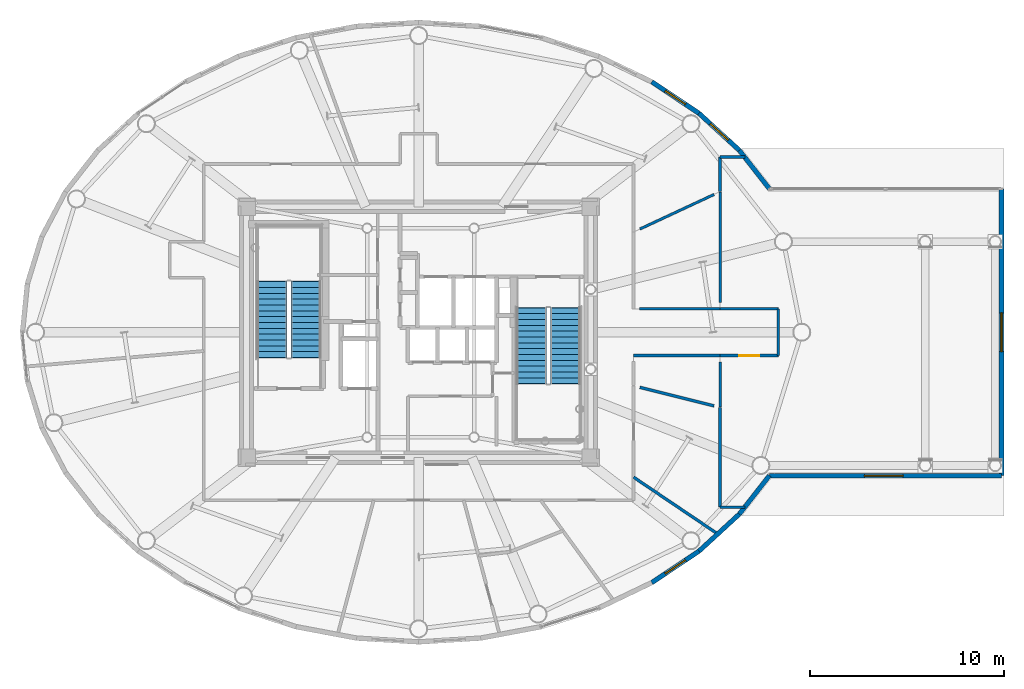
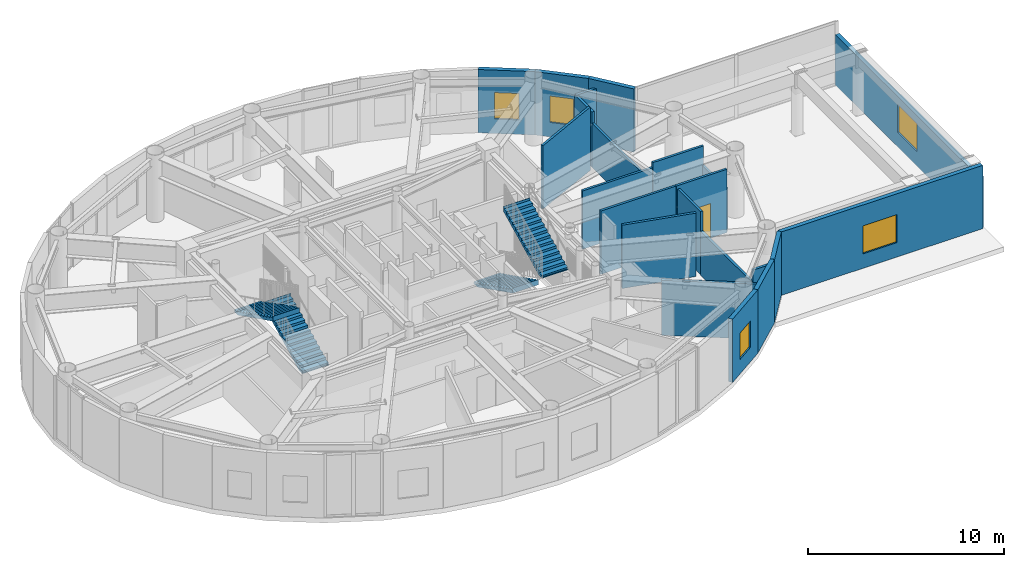
# One storey, part 19 of 26: 22 walls, 5 windows, 4 stair flights, 1 door, 6 openings, 2 elements without a shape of their own.
"""IFC4 building model written with IfcOpenShell, lengths in metres."""

from ifc_helpers import new_model, si_unit, direction, frame, frame_2d, origin, origin_2d, place, context, subcontext, project, spatial, polyline, rectangle, outline, extrude, source, transform, mapped, material, layer, layer_set, type_object, element, fill, aggregate, save


model = new_model("IFC4")

# Units and contexts
model_context = context("Model", 3, precision=1e-05, world=origin(), true_north=direction((0.0, 1.0)))
body_context = subcontext(model_context, "Body", "Model", "MODEL_VIEW")
ifc_project = project(units=[si_unit("LENGTHUNIT", "METRE"), si_unit("AREAUNIT", "SQUARE_METRE"), si_unit("VOLUMEUNIT", "CUBIC_METRE"), si_unit("PLANEANGLEUNIT", "RADIAN"), si_unit("MASSUNIT", "GRAM", prefix="KILO")], contexts=[model_context])

# Site, building, storey
site_placement = place(None, origin())
site = spatial("IfcSite", under=ifc_project, at=site_placement, CompositionType="ELEMENT")
building_placement = place(site_placement, origin())
building = spatial("IfcBuilding", under=site, at=building_placement, Name="Linh Dai School and Residence Tower", CompositionType="ELEMENT")
storey_placement = place(building_placement, frame((0.0, 0.0, 351.0)))
storey = spatial("IfcBuildingStorey", under=building, at=storey_placement, Name="L87", CompositionType="ELEMENT", Elevation=351.0)

# Wall, opening, window
ifc_material_1 = material(Name="Precast Concrete B45 (C35/45)", Category="concrete")
ifc_layer_1 = layer(ifc_material_1, 0.239990234375)
ifc_layer_set_1 = layer_set([ifc_layer_1], Name="Precast Concrete B45 (C35/45)")
wall_type_1 = type_object("IfcWallType", Name="EW-TC-240", PredefinedType="SOLIDWALL", material=ifc_layer_set_1)
wall_1_placement = place(storey_placement, frame((65.97509765625, 19.625, 0.0), z_axis=(0.0, 0.0, 1.0), x_axis=(-1.0, 0.0, 0.0)))
wall_1 = element("IfcWall", 1, at=wall_1_placement, inside=storey, type_object=wall_type_1, Name="L87 Terracotta Exterior Wall 01", PredefinedType="SOLIDWALL", context=body_context, shape_type="SweptSolid", body=[
    extrude(rectangle(XDim=11.93505859375, YDim=0.239990234375, at=frame_2d((5.967529296875, 0.0))), origin(), (0.0, 0.0, 1.0), 3.949951171875),
])
opening_1_placement = place(wall_1_placement, frame((5.06005859375, 0.0, 0.89990234375)))
opening_1 = element("IfcOpeningElement", 2, at=opening_1_placement, cuts=wall_1, Name="Opening W1", PredefinedType="OPENING", context=body_context, shape_type="SweptSolid", body=[
    extrude(rectangle(XDim=2.0, YDim=1.75, at=origin_2d()), frame((1.0, 0.1298828125, 0.875), z_axis=(0.0, -1.0, 0.0), x_axis=(1.0, 0.0, 0.0)), (0.0, 0.0, 1.0), 0.260009765625),
])
ifc_material_2 = material(Name="Double Low-E Insulated Glazing", Category="glass")
window_type_1 = type_object("IfcWindowType", Name="WN-RES-2000x1750", PartitioningType="DOUBLE_PANEL_VERTICAL", PredefinedType="WINDOW", material=ifc_material_2)
shared_shape_1 = source(origin(), body_context, "Body", "SweptSolid", [
    extrude(rectangle(XDim=2.0, YDim=1.75, at=origin_2d()), frame((1.0, 0.030029296875, 0.875), z_axis=(0.0, -1.0, 0.0), x_axis=(1.0, 0.0, 0.0)), (0.0, 0.0, 1.0), 0.06005859375),
])
window_1_placement = place(opening_1_placement, origin())
window_1 = element("IfcWindow", 3, at=window_1_placement, inside=storey, type_object=window_type_1, Name="L87 Exterior Window 01.1", OverallHeight=1.75, OverallWidth=2.0, PartitioningType="DOUBLE_PANEL_VERTICAL", PredefinedType="WINDOW", context=body_context, shape_type="MappedRepresentation", body=[
    mapped(shared_shape_1, transform((0.0, 0.0, 0.0), x_axis=(1.0, 0.0, 0.0), y_axis=(0.0, 1.0, 0.0), z_axis=(0.0, 0.0, 1.0), scale=1.0)),
])
fill(opening_1, window_1)

wall_2_placement = place(storey_placement, frame((65.97509765625, 34.375, 0.0), z_axis=(0.0, 0.0, 1.0), x_axis=(0.0, -1.0, 0.0)))
wall_2 = element("IfcWall", 4, at=wall_2_placement, inside=storey, type_object=wall_type_1, Name="L87 Terracotta Exterior Wall 02", PredefinedType="SOLIDWALL", context=body_context, shape_type="SweptSolid", body=[
    extrude(rectangle(XDim=14.75, YDim=0.239990234375, at=frame_2d((7.375, 0.0))), origin(), (0.0, 0.0, 1.0), 3.135009765625),
])
opening_2_placement = place(wall_2_placement, frame((6.375, 0.0, 0.89990234375)))
opening_2 = element("IfcOpeningElement", 5, at=opening_2_placement, cuts=wall_2, Name="Opening W1", PredefinedType="OPENING", context=body_context, shape_type="SweptSolid", body=[
    extrude(rectangle(XDim=2.0, YDim=1.75, at=origin_2d()), frame((1.0, 0.1298828125, 0.875), z_axis=(0.0, -1.0, 0.0), x_axis=(1.0, 0.0, 0.0)), (0.0, 0.0, 1.0), 0.260009765625),
])
window_2_placement = place(opening_2_placement, origin())
window_2 = element("IfcWindow", 6, at=window_2_placement, inside=storey, type_object=window_type_1, Name="L87 Exterior Window 02.1", OverallHeight=1.75, OverallWidth=2.0, PartitioningType="DOUBLE_PANEL_VERTICAL", PredefinedType="WINDOW", context=body_context, shape_type="MappedRepresentation", body=[
    mapped(shared_shape_1, transform((0.0, 0.0, 0.0), x_axis=(1.0, 0.0, 0.0), y_axis=(0.0, 1.0, 0.0), z_axis=(0.0, 0.0, 1.0), scale=1.0)),
])
fill(opening_2, window_2)

# Wall
wall_3_placement = place(storey_placement, frame((52.4931640625, 36.351806640625, 0.0), z_axis=(0.0, 0.0, 1.0), x_axis=(0.616261054153, -0.78754194373, 0.0)))
element("IfcWall", 7, at=wall_3_placement, inside=storey, type_object=wall_type_1, Name="L87 Terracotta Exterior Wall 04", PredefinedType="SOLIDWALL", context=body_context, shape_type="SweptSolid", body=[
    extrude(rectangle(XDim=2.510009765625, YDim=0.239990234375, at=frame_2d((1.2548828125, 0.0))), origin(), (0.0, 0.0, 1.0), 3.949951171875),
])

# Wall, opening, window
wall_4_placement = place(storey_placement, frame((50.418701171875, 38.254150390625, 0.0), z_axis=(0.0, 0.0, 1.0), x_axis=(0.737020907932, -0.675869944051, 0.0)))
wall_4 = element("IfcWall", 8, at=wall_4_placement, inside=storey, type_object=wall_type_1, Name="L87 Terracotta Exterior Wall 05", PredefinedType="SOLIDWALL", context=body_context, shape_type="SweptSolid", body=[
    extrude(rectangle(XDim=2.814697265625, YDim=0.239990234375, at=frame_2d((1.4072265625, 0.0))), origin(), (0.0, 0.0, 1.0), 3.949951171875),
])
opening_3_placement = place(wall_4_placement, frame((0.781982421875, 0.0, 0.89990234375)))
opening_3 = element("IfcOpeningElement", 9, at=opening_3_placement, cuts=wall_4, Name="Opening W3", PredefinedType="OPENING", context=body_context, shape_type="SweptSolid", body=[
    extrude(rectangle(XDim=1.25, YDim=1.64990234375, at=origin_2d()), frame((0.625, 0.1298828125, 0.824951171875), z_axis=(0.0, -1.0, 0.0), x_axis=(1.0, 0.0, 0.0)), (0.0, 0.0, 1.0), 0.260009765625),
])
window_type_2 = type_object("IfcWindowType", Name="WN-RES-1250x1650", PartitioningType="SINGLE_PANEL", PredefinedType="WINDOW", material=ifc_material_2)
shared_shape_2 = source(origin(), body_context, "Body", "SweptSolid", [
    extrude(rectangle(XDim=1.25, YDim=1.64990234375, at=origin_2d()), frame((0.625, 0.030029296875, 0.824951171875), z_axis=(0.0, -1.0, 0.0), x_axis=(1.0, 0.0, 0.0)), (0.0, 0.0, 1.0), 0.06005859375),
])
window_3_placement = place(opening_3_placement, origin())
window_3 = element("IfcWindow", 10, at=window_3_placement, inside=storey, type_object=window_type_2, Name="L87 Exterior Window 05.1", OverallHeight=1.64990234375, OverallWidth=1.25, PartitioningType="SINGLE_PANEL", PredefinedType="WINDOW", context=body_context, shape_type="MappedRepresentation", body=[
    mapped(shared_shape_2, transform((0.0, 0.0, 0.0), x_axis=(1.0, 0.0, 0.0), y_axis=(0.0, 1.0, 0.0), z_axis=(0.0, 0.0, 1.0), scale=1.0)),
])
fill(opening_3, window_3)

wall_5_placement = place(storey_placement, frame((47.98779296875, 39.880126953125, 0.0), z_axis=(0.0, 0.0, 1.0), x_axis=(0.831201688654, -0.555970999944, 0.0)))
wall_5 = element("IfcWall", 11, at=wall_5_placement, inside=storey, type_object=wall_type_1, Name="L87 Terracotta Exterior Wall 06", PredefinedType="SOLIDWALL", context=body_context, shape_type="SweptSolid", body=[
    extrude(rectangle(XDim=2.924560546875, YDim=0.239990234375, at=frame_2d((1.46240234375, 0.0))), origin(), (0.0, 0.0, 1.0), 3.949951171875),
])
opening_4_placement = place(wall_5_placement, frame((0.837158203125, 0.0, 0.89990234375)))
opening_4 = element("IfcOpeningElement", 12, at=opening_4_placement, cuts=wall_5, Name="Opening W3", PredefinedType="OPENING", context=body_context, shape_type="SweptSolid", body=[
    extrude(rectangle(XDim=1.25, YDim=1.64990234375, at=origin_2d()), frame((0.625, 0.1298828125, 0.824951171875), z_axis=(0.0, -1.0, 0.0), x_axis=(1.0, 0.0, 0.0)), (0.0, 0.0, 1.0), 0.260009765625),
])
window_4_placement = place(opening_4_placement, origin())
window_4 = element("IfcWindow", 13, at=window_4_placement, inside=storey, type_object=window_type_2, Name="L87 Exterior Window 06.1", OverallHeight=1.64990234375, OverallWidth=1.25, PartitioningType="SINGLE_PANEL", PredefinedType="WINDOW", context=body_context, shape_type="MappedRepresentation", body=[
    mapped(shared_shape_2, transform((0.0, 0.0, 0.0), x_axis=(1.0, 0.0, 0.0), y_axis=(0.0, 1.0, 0.0), z_axis=(0.0, 0.0, 1.0), scale=1.0)),
])
fill(opening_4, window_4)

wall_6_placement = place(storey_placement, frame((50.418701171875, 15.745849609375, 0.0), z_axis=(0.0, 0.0, 1.0), x_axis=(-0.831201688654, -0.555970999944, 0.0)))
wall_6 = element("IfcWall", 14, at=wall_6_placement, inside=storey, type_object=wall_type_1, Name="L87 Terracotta Exterior Wall 35", PredefinedType="SOLIDWALL", context=body_context, shape_type="SweptSolid", body=[
    extrude(rectangle(XDim=2.924560546875, YDim=0.239990234375, at=frame_2d((1.46240234375, 0.0))), origin(), (0.0, 0.0, 1.0), 3.949951171875),
])
opening_5_placement = place(wall_6_placement, frame((0.83740234375, 0.0, 0.89990234375)))
opening_5 = element("IfcOpeningElement", 15, at=opening_5_placement, cuts=wall_6, Name="Opening W3", PredefinedType="OPENING", context=body_context, shape_type="SweptSolid", body=[
    extrude(rectangle(XDim=1.25, YDim=1.64990234375, at=origin_2d()), frame((0.625, 0.1298828125, 0.824951171875), z_axis=(0.0, -1.0, 0.0), x_axis=(1.0, 0.0, 0.0)), (0.0, 0.0, 1.0), 0.260009765625),
])
window_5_placement = place(opening_5_placement, origin())
window_5 = element("IfcWindow", 16, at=window_5_placement, inside=storey, type_object=window_type_2, Name="L87 Exterior Window 35.1", OverallHeight=1.64990234375, OverallWidth=1.25, PartitioningType="SINGLE_PANEL", PredefinedType="WINDOW", context=body_context, shape_type="MappedRepresentation", body=[
    mapped(shared_shape_2, transform((0.0, 0.0, 0.0), x_axis=(1.0, 0.0, 0.0), y_axis=(0.0, 1.0, 0.0), z_axis=(0.0, 0.0, 1.0), scale=1.0)),
])
fill(opening_5, window_5)

# Walls
wall_7_placement = place(storey_placement, frame((52.4931640625, 17.648193359375, 0.0), z_axis=(0.0, 0.0, 1.0), x_axis=(-0.737020907932, -0.675869944051, 0.0)))
element("IfcWall", 17, at=wall_7_placement, inside=storey, type_object=wall_type_1, Name="L87 Terracotta Exterior Wall 36", PredefinedType="SOLIDWALL", context=body_context, shape_type="SweptSolid", body=[
    extrude(rectangle(XDim=2.814697265625, YDim=0.239990234375, at=frame_2d((1.4072265625, 0.0))), origin(), (0.0, 0.0, 1.0), 3.949951171875),
])
wall_8_placement = place(storey_placement, frame((54.0400390625, 19.625, 0.0), z_axis=(0.0, 0.0, 1.0), x_axis=(-0.616261054153, -0.78754194373, 0.0)))
element("IfcWall", 18, at=wall_8_placement, inside=storey, type_object=wall_type_1, Name="L87 Terracotta Exterior Wall 37", PredefinedType="SOLIDWALL", context=body_context, shape_type="SweptSolid", body=[
    extrude(rectangle(XDim=2.510009765625, YDim=0.239990234375, at=frame_2d((1.2548828125, 0.0))), origin(), (0.0, 0.0, 1.0), 3.949951171875),
])

# Wall, opening, door
ifc_material_3 = material(Name="Autoclaved Aerated Concrete Blockwork", Category="masonry")
ifc_layer_2 = layer(ifc_material_3, 0.135009765625)
ifc_layer_set_2 = layer_set([ifc_layer_2], Name="Autoclaved Aerated Concrete Blockwork")
wall_type_2 = type_object("IfcWallType", Name="IW-CORR-135-EI90", PredefinedType="PARTITIONING", material=ifc_layer_set_2)
wall_9_placement = place(storey_placement, frame((51.5, 25.800048828125, 0.0), z_axis=(0.0, 0.0, 1.0), x_axis=(1.0, 0.0, 0.0)))
wall_9 = element("IfcWall", 19, at=wall_9_placement, inside=storey, type_object=wall_type_2, Name="L87 Interior Partition Wall 054", PredefinedType="PARTITIONING", context=body_context, shape_type="SweptSolid", body=[
    extrude(rectangle(XDim=3.0, YDim=0.135009765625, at=frame_2d((1.5, 0.0))), origin(), (0.0, 0.0, 1.0), 3.949951171875),
])
opening_6_placement = place(wall_9_placement, frame((0.97509765625, 0.0, 0.0)))
opening_6 = element("IfcOpeningElement", 20, at=opening_6_placement, cuts=wall_9, Name="Opening D04", PredefinedType="OPENING", context=body_context, shape_type="SweptSolid", body=[
    extrude(rectangle(XDim=1.050048828125, YDim=2.14990234375, at=origin_2d()), frame((0.52490234375, 0.07763671875, 1.074951171875), z_axis=(0.0, -1.0, 0.0), x_axis=(1.0, 0.0, 0.0)), (0.0, 0.0, 1.0), 0.155029296875),
])
ifc_material_4 = material(Name="Acoustic Vision-Panel Timber Classroom Door", Category="wood")
door_type = type_object("IfcDoorType", Name="DR-SCH-1050x2150-FD60S", OperationType="NOTDEFINED", PredefinedType="DOOR", material=ifc_material_4)
shared_shape_3 = source(origin(), body_context, "Body", "SweptSolid", [
    extrude(rectangle(XDim=1.050048828125, YDim=2.14990234375, at=origin_2d()), frame((0.52490234375, 0.02490234375, 1.074951171875), z_axis=(0.0, -1.0, 0.0), x_axis=(1.0, 0.0, 0.0)), (0.0, 0.0, 1.0), 0.050048828125),
])
door_placement = place(opening_6_placement, origin())
door = element("IfcDoor", 21, at=door_placement, inside=storey, type_object=door_type, Name="L87 Cantilevered Broadcast Mast Sky Observatory Door", OperationType="SINGLE_SWING_LEFT", OverallHeight=2.14990234375, OverallWidth=1.050048828125, PredefinedType="DOOR", context=body_context, shape_type="MappedRepresentation", body=[
    mapped(shared_shape_3, transform((0.0, 0.0, 0.0), x_axis=(1.0, 0.0, 0.0), y_axis=(0.0, 1.0, 0.0), z_axis=(0.0, 0.0, 1.0), scale=1.0)),
])
fill(opening_6, door)

# Walls
wall_10_placement = place(storey_placement, frame((51.5, 28.199951171875, 0.0), z_axis=(0.0, 0.0, 1.0), x_axis=(1.0, 0.0, 0.0)))
element("IfcWall", 22, at=wall_10_placement, inside=storey, type_object=wall_type_2, Name="L87 Interior Partition Wall 055", PredefinedType="PARTITIONING", context=body_context, shape_type="SweptSolid", body=[
    extrude(rectangle(XDim=3.0, YDim=0.135009765625, at=frame_2d((1.5, 0.0))), origin(), (0.0, 0.0, 1.0), 3.949951171875),
])
wall_11_placement = place(storey_placement, frame((54.5, 25.800048828125, 0.0), z_axis=(0.0, 0.0, 1.0), x_axis=(0.0, 1.0, 0.0)))
element("IfcWall", 23, at=wall_11_placement, inside=storey, type_object=wall_type_2, Name="L87 Interior Partition Wall 058", PredefinedType="PARTITIONING", context=body_context, shape_type="SweptSolid", body=[
    extrude(rectangle(XDim=2.39990234375, YDim=0.135009765625, at=frame_2d((1.199951171875, 0.0))), origin(), (0.0, 0.0, 1.0), 2.735107421875),
])
wall_12_placement = place(storey_placement, frame((47.357421875, 28.199951171875, 0.0), z_axis=(0.0, 0.0, 1.0), x_axis=(1.0, 0.0, 0.0)))
element("IfcWall", 24, at=wall_12_placement, inside=storey, type_object=wall_type_2, Name="L87 Interior Partition Wall 062", PredefinedType="PARTITIONING", context=body_context, shape_type="SweptSolid", body=[
    extrude(rectangle(XDim=4.132568359375, YDim=0.135009765625, at=frame_2d((2.06640625, 0.0))), origin(), (0.0, 0.0, 1.0), 3.635009765625),
])
wall_13_placement = place(storey_placement, frame((51.489990234375, 25.800048828125, 0.0), z_axis=(0.0, 0.0, 1.0), x_axis=(-1.0, 0.0, 0.0)))
element("IfcWall", 25, at=wall_13_placement, inside=storey, type_object=wall_type_2, Name="L87 Interior Partition Wall 063", PredefinedType="PARTITIONING", context=body_context, shape_type="SweptSolid", body=[
    extrude(rectangle(XDim=4.43994140625, YDim=0.135009765625, at=frame_2d((2.219970703125, 0.0))), origin(), (0.0, 0.0, 1.0), 3.949951171875),
])
wall_14_placement = place(storey_placement, frame((51.5, 23.1455078125, 0.0), z_axis=(0.0, 0.0, 1.0), x_axis=(0.0, 1.0, 0.0)))
element("IfcWall", 26, at=wall_14_placement, inside=storey, type_object=wall_type_2, Name="L87 Interior Partition Wall 073", PredefinedType="PARTITIONING", context=body_context, shape_type="SweptSolid", body=[
    extrude(rectangle(XDim=2.326904296875, YDim=0.135009765625, at=frame_2d((1.16357421875, 0.0))), origin(), (0.0, 0.0, 1.0), 3.949951171875),
])
wall_15_placement = place(storey_placement, frame((51.5, 28.527587890625, 0.0), z_axis=(0.0, 0.0, 1.0), x_axis=(0.0, 1.0, 0.0)))
element("IfcWall", 27, at=wall_15_placement, inside=storey, type_object=wall_type_2, Name="L87 Interior Partition Wall 074", PredefinedType="PARTITIONING", context=body_context, shape_type="SweptSolid", body=[
    extrude(rectangle(XDim=5.690185546875, YDim=0.135009765625, at=frame_2d((2.84521484375, 0.0))), origin(), (0.0, 0.0, 1.0), 2.735107421875),
])
wall_16_placement = place(storey_placement, frame((51.1923828125, 34.08447265625, 0.0), z_axis=(0.0, 0.0, 1.0), x_axis=(-0.906297200545, -0.422640963802, 0.0)))
element("IfcWall", 28, at=wall_16_placement, inside=storey, type_object=wall_type_2, Name="L87 Interior Partition Wall 075", PredefinedType="PARTITIONING", context=body_context, shape_type="SweptSolid", body=[
    extrude(rectangle(XDim=4.20947265625, YDim=0.135009765625, at=frame_2d((2.104736328125, 0.0))), origin(), (0.0, 0.0, 1.0), 3.949951171875),
])
ifc_layer_3 = layer(ifc_material_3, 0.14990234375)
ifc_layer_set_3 = layer_set([ifc_layer_3], Name="Autoclaved Aerated Concrete Blockwork")
wall_type_3 = type_object("IfcWallType", Name="IW-SCH-150-EI60", PredefinedType="PARTITIONING", material=ifc_layer_set_3)
wall_17_placement = place(storey_placement, frame((47.050048828125, 19.546630859375, 0.0), z_axis=(0.0, 0.0, 1.0), x_axis=(0.829048965617, -0.55917601219, 0.0)))
element("IfcWall", 29, at=wall_17_placement, inside=storey, type_object=wall_type_3, Name="L87 Interior Partition Wall 050", PredefinedType="PARTITIONING", context=body_context, shape_type="SweptSolid", body=[
    extrude(rectangle(XDim=5.22705078125, YDim=0.14990234375, at=frame_2d((2.613525390625, 0.0))), origin(), (0.0, 0.0, 1.0), 3.43505859375),
])
wall_18_placement = place(storey_placement, frame((51.5, 18.0, 0.0), z_axis=(0.0, 0.0, 1.0), x_axis=(0.0, 1.0, 0.0)))
element("IfcWall", 30, at=wall_18_placement, inside=storey, type_object=wall_type_3, Name="L87 Interior Partition Wall 052", PredefinedType="PARTITIONING", context=body_context, shape_type="SweptSolid", body=[
    extrude(rectangle(XDim=5.135498046875, YDim=0.14990234375, at=frame_2d((2.56787109375, 0.0))), origin(), (0.0, 0.0, 1.0), 2.735107421875),
])
wall_19_placement = place(storey_placement, frame((51.5, 18.0, 0.0), z_axis=(0.0, 0.0, 1.0), x_axis=(1.0, 0.0, 0.0)))
element("IfcWall", 31, at=wall_19_placement, inside=storey, type_object=wall_type_3, Name="L87 Interior Partition Wall 053", PredefinedType="PARTITIONING", context=body_context, shape_type="SweptSolid", body=[
    extrude(rectangle(XDim=1.27490234375, YDim=0.14990234375, at=frame_2d((0.637451171875, 0.0))), origin(), (0.0, 0.0, 1.0), 3.43505859375),
])
wall_20_placement = place(storey_placement, frame((51.5, 34.227783203125, 0.0), z_axis=(0.0, 0.0, 1.0), x_axis=(0.0, 1.0, 0.0)))
element("IfcWall", 32, at=wall_20_placement, inside=storey, type_object=wall_type_3, Name="L87 Interior Partition Wall 056", PredefinedType="PARTITIONING", context=body_context, shape_type="SweptSolid", body=[
    extrude(rectangle(XDim=1.772216796875, YDim=0.14990234375, at=frame_2d((0.88623046875, 0.0))), origin(), (0.0, 0.0, 1.0), 3.43505859375),
])
wall_21_placement = place(storey_placement, frame((51.5, 36.0, 0.0), z_axis=(0.0, 0.0, 1.0), x_axis=(1.0, 0.0, 0.0)))
element("IfcWall", 33, at=wall_21_placement, inside=storey, type_object=wall_type_3, Name="L87 Interior Partition Wall 057", PredefinedType="PARTITIONING", context=body_context, shape_type="SweptSolid", body=[
    extrude(rectangle(XDim=1.27490234375, YDim=0.14990234375, at=frame_2d((0.637451171875, 0.0))), origin(), (0.0, 0.0, 1.0), 3.43505859375),
])
wall_22_placement = place(storey_placement, frame((47.37744140625, 24.163330078125, 0.0), z_axis=(0.0, 0.0, 1.0), x_axis=(0.970295717129, -0.241921932288, 0.0)))
element("IfcWall", 34, at=wall_22_placement, inside=storey, type_object=wall_type_3, Name="L87 Interior Partition Wall 076", PredefinedType="PARTITIONING", context=body_context, shape_type="SweptSolid", body=[
    extrude(rectangle(XDim=3.931640625, YDim=0.14990234375, at=frame_2d((1.9658203125, 0.0))), origin(), (0.0, 0.0, 1.0), 3.949951171875),
])

# Stair, stair flights
ifc_material_5 = material(Name="Concrete B45 (C35/45)", Category="concrete")
stair_type = type_object("IfcStairType", Name="ST-DOG-1550-R1500", PredefinedType="HALF_TURN_STAIR", material=ifc_material_5)
stair_1_placement = place(storey_placement, origin())
stair_1 = element("IfcStair", 35, at=stair_1_placement, inside=storey, type_object=stair_type, Name="L87 Core Smokeproof Exit Stair ST1", PredefinedType="HALF_TURN_STAIR")
stair_flight_type = type_object("IfcStairFlightType", Name="STF-STR-1550-R1500", PredefinedType="STRAIGHT", material=ifc_material_5)
shared_shape_4 = source(origin(), body_context, "Body", "SweptSolid", [
    extrude(outline(polyline([(-0.02490234375, 0.0), (-0.02490234375, 0.06005859375), (0.0, 0.06005859375), (0.0, 0.14990234375), (0.300048828125, 0.14990234375), (0.300048828125, 0.300048828125), (0.60009765625, 0.300048828125), (0.60009765625, 0.449951171875), (0.89990234375, 0.449951171875), (0.89990234375, 0.60009765625), (1.199951171875, 0.60009765625), (1.199951171875, 0.75), (1.5, 0.75), (1.5, 0.89990234375), (1.800048828125, 0.89990234375), (1.800048828125, 1.050048828125), (2.10009765625, 1.050048828125), (2.10009765625, 1.199951171875), (2.39990234375, 1.199951171875), (2.39990234375, 1.35009765625), (2.699951171875, 1.35009765625), (2.699951171875, 1.5), (3.0, 1.5), (3.0, 1.64990234375), (3.300048828125, 1.64990234375), (3.300048828125, 1.800048828125), (3.60009765625, 1.800048828125), (3.60009765625, 1.949951171875), (3.89990234375, 1.949951171875), (3.89990234375, 2.10009765625), (3.925048828125, 2.10009765625), (3.925048828125, 1.782470703125), (3.89990234375, 1.782470703125), (0.335205078125, 0.0), (-0.02490234375, 0.0)])), frame((0.0, 0.77490234375, 0.0), z_axis=(0.0, -1.0, 0.0), x_axis=(1.0, 0.0, 0.0)), (0.0, 0.0, 1.0), 1.550048828125),
])
stair_flight_1_placement = place(storey_placement, frame((30.205078125, 25.699951171875, 0.0), z_axis=(0.0, 0.0, 1.0), x_axis=(0.0, 1.0, 0.0)))
stair_flight_1 = element("IfcStairFlight", 36, at=stair_flight_1_placement, type_object=stair_flight_type, Name="ST1 flight 1", NumberOfRisers=14, NumberOfTreads=13, PredefinedType="STRAIGHT", RiserHeight=0.15, TreadLength=0.3, context=body_context, shape_type="MappedRepresentation", body=[
    mapped(shared_shape_4, transform((0.0, 0.0, 0.0), x_axis=(1.0, 0.0, 0.0), y_axis=(0.0, 1.0, 0.0), z_axis=(0.0, 0.0, 1.0), scale=1.0)),
])
stair_flight_2_placement = place(storey_placement, frame((28.455078125, 29.60009765625, 2.10009765625), z_axis=(0.0, 0.0, 1.0), x_axis=(0.0, -1.0, 0.0)))
stair_flight_2 = element("IfcStairFlight", 37, at=stair_flight_2_placement, type_object=stair_flight_type, Name="ST1 flight 2", NumberOfRisers=14, NumberOfTreads=13, PredefinedType="STRAIGHT", RiserHeight=0.15, TreadLength=0.3, context=body_context, shape_type="MappedRepresentation", body=[
    mapped(shared_shape_4, transform((0.0, 0.0, 0.0), x_axis=(1.0, 0.0, 0.0), y_axis=(0.0, 1.0, 0.0), z_axis=(0.0, 0.0, 1.0), scale=1.0)),
])
aggregate(stair_1, [stair_flight_1, stair_flight_2])

stair_2_placement = place(storey_placement, origin())
stair_2 = element("IfcStair", 38, at=stair_2_placement, inside=storey, type_object=stair_type, Name="L87 Core Smokeproof Exit Stair ST2", PredefinedType="HALF_TURN_STAIR")
stair_flight_3_placement = place(storey_placement, frame((41.794921875, 28.25, 0.0), z_axis=(0.0, 0.0, 1.0), x_axis=(0.0, -1.0, 0.0)))
stair_flight_3 = element("IfcStairFlight", 39, at=stair_flight_3_placement, type_object=stair_flight_type, Name="ST2 flight 1", NumberOfRisers=14, NumberOfTreads=13, PredefinedType="STRAIGHT", RiserHeight=0.15, TreadLength=0.3, context=body_context, shape_type="MappedRepresentation", body=[
    mapped(shared_shape_4, transform((0.0, 0.0, 0.0), x_axis=(1.0, 0.0, 0.0), y_axis=(0.0, 1.0, 0.0), z_axis=(0.0, 0.0, 1.0), scale=1.0)),
])
stair_flight_4_placement = place(storey_placement, frame((43.544921875, 24.35009765625, 2.10009765625), z_axis=(0.0, 0.0, 1.0), x_axis=(0.0, 1.0, 0.0)))
stair_flight_4 = element("IfcStairFlight", 40, at=stair_flight_4_placement, type_object=stair_flight_type, Name="ST2 flight 2", NumberOfRisers=14, NumberOfTreads=13, PredefinedType="STRAIGHT", RiserHeight=0.15, TreadLength=0.3, context=body_context, shape_type="MappedRepresentation", body=[
    mapped(shared_shape_4, transform((0.0, 0.0, 0.0), x_axis=(1.0, 0.0, 0.0), y_axis=(0.0, 1.0, 0.0), z_axis=(0.0, 0.0, 1.0), scale=1.0)),
])
aggregate(stair_2, [stair_flight_3, stair_flight_4])

save(model, "model.ifc")
